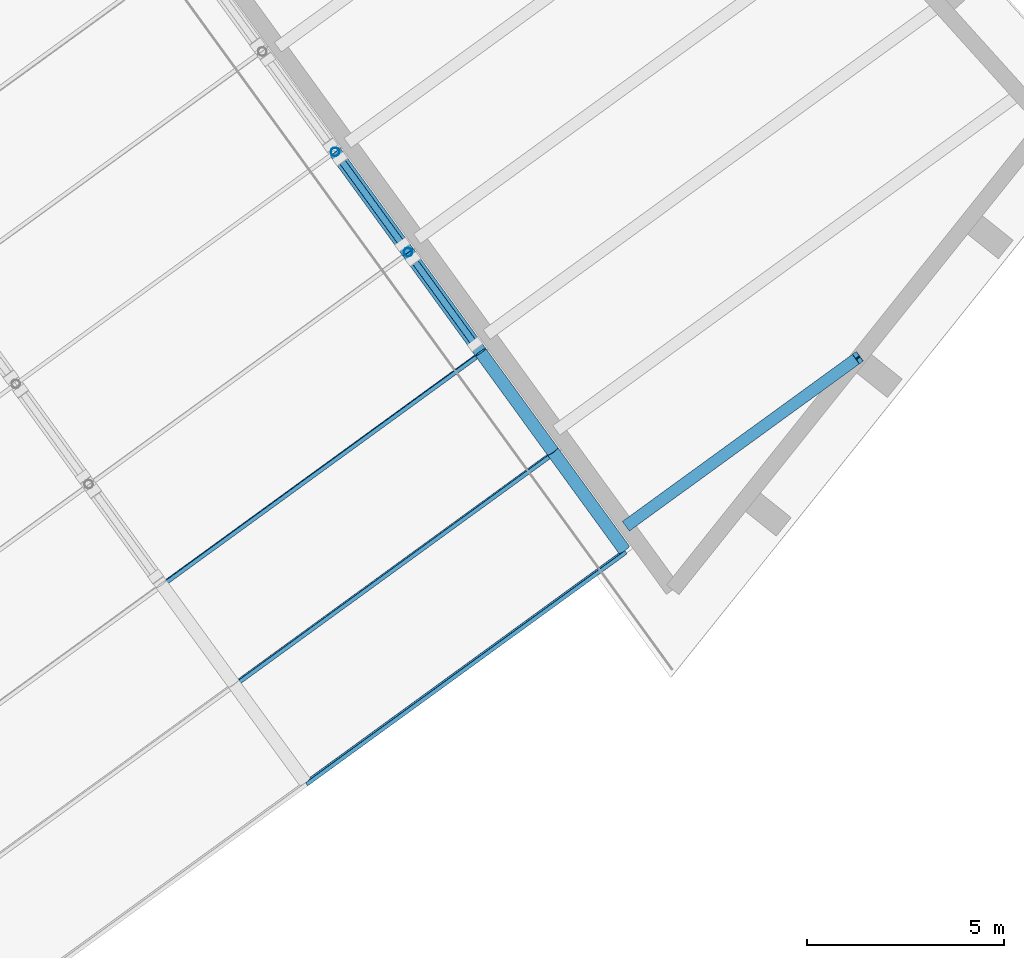
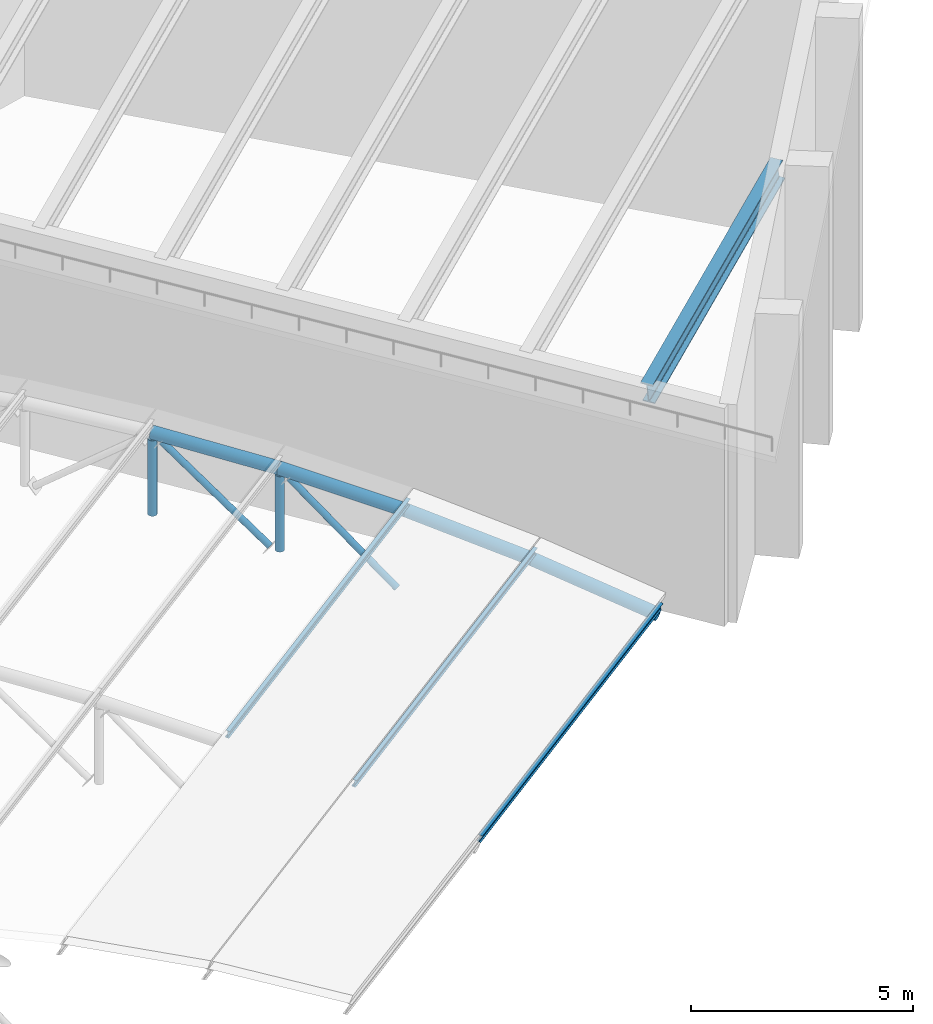
# One storey, part 22 of 41: 8 members, 4 beams.
"""IFC4 building model written with IfcOpenShell, lengths in metres."""

from ifc_helpers import new_model, si_unit, direction, frame, origin, origin_2d, place, context, subcontext, project, spatial, hollow_circle, i_section, extrude, material, material_profile, profile_set, type_object, element, save


model = new_model("IFC4")

# Units and contexts
model_context = context("Model", 3, precision=1e-05, world=origin(), true_north=direction((0.0, 1.0)))
body_context = subcontext(model_context, "Body", "Model", "MODEL_VIEW")
ifc_project = project(units=[si_unit("LENGTHUNIT", "METRE"), si_unit("AREAUNIT", "SQUARE_METRE"), si_unit("VOLUMEUNIT", "CUBIC_METRE"), si_unit("PLANEANGLEUNIT", "RADIAN"), si_unit("MASSUNIT", "GRAM", prefix="KILO")], contexts=[model_context])

# Site, building, storey
site_placement = place(None, origin())
site = spatial("IfcSite", under=ifc_project, at=site_placement, CompositionType="ELEMENT")
building_placement = place(site_placement, origin())
building = spatial("IfcBuilding", under=site, at=building_placement, Name="Okhra Congress Centre", CompositionType="ELEMENT")
storey_placement = place(building_placement, frame((0.0, 0.0, 21.60009765625)))
storey = spatial("IfcBuildingStorey", under=building, at=storey_placement, Name="ROOF", CompositionType="ELEMENT", Elevation=21.60009765625)

# Members
ifc_material_1 = material(Name="Steel S355J2H", Category="steel")
ifc_material_profile_1 = material_profile(ifc_material_1, hollow_circle(Radius=0.084228515625, WallThickness=0.00634765625, at=origin_2d()), Name="CHS 168.3x6.3")
ifc_profile_set_1 = profile_set([ifc_material_profile_1], Name="Steel S355J2H")
member_type_1 = type_object("IfcMemberType", Name="CHS 168.3x6.3", PredefinedType="BRACE", material=ifc_profile_set_1)
member_1_placement = place(storey_placement, frame((266.021728515625, 208.346435546875, -1.07080078125), z_axis=(-0.44685165687, 0.615058439697, 0.649635830685), x_axis=(-0.809026036893, -0.587772806133, 0.0)))
element("IfcMember", 1, at=member_1_placement, inside=storey, type_object=member_type_1, Name="Truss 7 diagonal 8", PredefinedType="BRACE", context=body_context, shape_type="SweptSolid", body=[
    extrude(hollow_circle(Radius=0.084228515625, WallThickness=0.00634765625, at=origin_2d()), origin(), (0.0, 0.0, 1.0), 3.4951171875),
])
member_2_placement = place(storey_placement, frame((264.182861328125, 210.877685546875, -0.812255859375), z_axis=(-0.460505203277, 0.633696450338, 0.621581665258), x_axis=(-0.808957632025, -0.587866948883, 0.0)))
element("IfcMember", 2, at=member_2_placement, inside=storey, type_object=member_type_1, Name="Truss 7 diagonal 9", PredefinedType="BRACE", context=body_context, shape_type="SweptSolid", body=[
    extrude(hollow_circle(Radius=0.084228515625, WallThickness=0.00634765625, at=origin_2d()), origin(), (0.0, 0.0, 1.0), 3.40576171875),
])
ifc_material_profile_2 = material_profile(ifc_material_1, hollow_circle(Radius=0.109619140625, WallThickness=0.008056640625, at=origin_2d()), Name="CHS 219.1x8")
ifc_profile_set_2 = profile_set([ifc_material_profile_2], Name="Steel S355J2H")
member_type_2 = type_object("IfcMemberType", Name="CHS 219.1x8", PredefinedType="POST", material=ifc_profile_set_2)
member_3_placement = place(storey_placement, frame((264.326904296875, 210.67919921875, -0.842529296875), z_axis=(0.0, 0.0, 1.0), x_axis=(1.0, 0.0, 0.0)))
element("IfcMember", 3, at=member_3_placement, inside=storey, type_object=member_type_2, Name="Truss 7 post 8", PredefinedType="POST", context=body_context, shape_type="SweptSolid", body=[
    extrude(hollow_circle(Radius=0.109619140625, WallThickness=0.008056640625, at=origin_2d()), origin(), (0.0, 0.0, 1.0), 2.071533203125),
])
member_4_placement = place(storey_placement, frame((262.481201171875, 213.219482421875, -0.75146484375), z_axis=(0.0, 0.0, 1.0), x_axis=(1.0, 0.0, 0.0)))
element("IfcMember", 4, at=member_4_placement, inside=storey, type_object=member_type_2, Name="Truss 7 post 9", PredefinedType="POST", context=body_context, shape_type="SweptSolid", body=[
    extrude(hollow_circle(Radius=0.109619140625, WallThickness=0.008056640625, at=origin_2d()), origin(), (0.0, 0.0, 1.0), 2.072021484375),
])
ifc_material_profile_3 = material_profile(ifc_material_1, hollow_circle(Radius=0.161865234375, WallThickness=0.012451171875, at=origin_2d()), Name="CHS 323.9x12.5")
ifc_profile_set_3 = profile_set([ifc_material_profile_3], Name="Steel S355J2H")
member_type_3 = type_object("IfcMemberType", Name="CHS 323.9x12.5", PredefinedType="CHORD", material=ifc_profile_set_3)
for number, where, z_axis, x_axis, name in (
    (5, (269.80126953125, 203.14453125, 0.029052734375), (-0.575681616785, 0.792290860201, 0.202153082929), (-0.808993389874, -0.587817739729, 0.0), "Truss 7 top chord 6"),
    (6, (267.992919921875, 205.63330078125, 0.6640625), (-0.581543271945, 0.800496412425, 0.144958326942), (-0.809041704036, -0.587751240858, 0.0), "Truss 7 top chord 7"),
    (7, (266.166259765625, 208.147705078125, 1.119384765625), (-0.585574378555, 0.805922581794, 0.087128866254), (-0.808999165888, -0.587809790317, 0.0), "Truss 7 top chord 8"),
):
    element("IfcMember", number, at=place(storey_placement, frame(where, z_axis=z_axis, x_axis=x_axis)), inside=storey, type_object=member_type_3, Name=name, PredefinedType="CHORD", context=body_context, shape_type="SweptSolid", body=[
        extrude(hollow_circle(Radius=0.161865234375, WallThickness=0.012451171875, at=origin_2d()), origin(), (0.0, 0.0, 1.0), 3.14111328125),
    ])
member_5_placement = place(storey_placement, frame((264.326904296875, 210.67919921875, 1.39306640625), z_axis=(-0.587552098776, 0.808661321133, 0.029144449344), x_axis=(-0.809004978104, -0.587801790915, 0.0)))
element("IfcMember", 8, at=member_5_placement, inside=storey, type_object=member_type_3, Name="Truss 7 top chord 9", PredefinedType="CHORD", context=body_context, shape_type="SweptSolid", body=[
    extrude(hollow_circle(Radius=0.161865234375, WallThickness=0.012451171875, at=origin_2d()), origin(), (0.0, 0.0, 1.0), 3.141357421875),
])

# Beams
ifc_material_2 = material(Name="Steel S355J2", Category="steel")
ifc_material_profile_4 = material_profile(ifc_material_2, i_section(OverallWidth=0.300048828125, OverallDepth=0.60009765625, WebThickness=0.015380859375, FlangeThickness=0.030029296875, FilletRadius=0.027099609375, at=origin_2d()), Name="HE 600 B")
ifc_profile_set_4 = profile_set([ifc_material_profile_4], Name="Steel S355J2")
beam_type_1 = type_object("IfcBeamType", Name="HE 600 B", PredefinedType="BEAM", material=ifc_profile_set_4)
beam_1_placement = place(storey_placement, frame((269.898681640625, 203.77587890625, 5.68701171875), z_axis=(0.79015367861, 0.574061103358, 0.214734752173), x_axis=(-0.587772420479, 0.809026317077, 0.0)))
element("IfcBeam", 9, at=beam_1_placement, inside=storey, type_object=beam_type_1, Name="Stage house rafter 1", PredefinedType="BEAM", context=body_context, shape_type="SweptSolid", body=[
    extrude(i_section(OverallWidth=0.300048828125, OverallDepth=0.60009765625, WebThickness=0.015380859375, FlangeThickness=0.030029296875, FilletRadius=0.027099609375, at=origin_2d()), origin(), (0.0, 0.0, 1.0), 7.371826171875),
])
ifc_material_profile_5 = material_profile(ifc_material_2, i_section(OverallWidth=0.10009765625, OverallDepth=0.199951171875, WebThickness=0.005615234375, FlangeThickness=0.008544921875, FilletRadius=0.011962890625, at=origin_2d()), Name="IPE 200")
ifc_profile_set_5 = profile_set([ifc_material_profile_5], Name="Steel S355J2")
beam_type_2 = type_object("IfcBeamType", Name="IPE 200", PredefinedType="BEAM", material=ifc_profile_set_5)
beam_2_placement = place(storey_placement, frame((261.74609375, 197.218505859375, 0.281005859375), z_axis=(0.809022099746, 0.587778225288, 0.0), x_axis=(-0.571934587156, 0.787214804344, 0.230615870737)))
element("IfcBeam", 10, at=beam_2_placement, inside=storey, type_object=beam_type_2, Name="Purlin 6.36", PredefinedType="BEAM", context=body_context, shape_type="SweptSolid", body=[
    extrude(i_section(OverallWidth=0.10009765625, OverallDepth=0.199951171875, WebThickness=0.005615234375, FlangeThickness=0.008544921875, FilletRadius=0.011962890625, at=origin_2d()), origin(), (0.0, 0.0, 1.0), 9.999755859375),
])
beam_3_placement = place(storey_placement, frame((259.92919921875, 199.718994140625, 0.919189453125), z_axis=(0.809010490052, 0.58779420462, 0.0), x_axis=(-0.578864289886, 0.796719802872, 0.173648177667)))
element("IfcBeam", 11, at=beam_3_placement, inside=storey, type_object=beam_type_2, Name="Purlin 7.42", PredefinedType="BEAM", context=body_context, shape_type="SweptSolid", body=[
    extrude(i_section(OverallWidth=0.10009765625, OverallDepth=0.199951171875, WebThickness=0.005615234375, FlangeThickness=0.008544921875, FilletRadius=0.011962890625, at=origin_2d()), origin(), (0.0, 0.0, 1.0), 10.0),
])
beam_4_placement = place(storey_placement, frame((258.09375, 202.24560546875, 1.376708984375), z_axis=(0.809022099746, 0.587778225288, 0.0), x_axis=(-0.583803879201, 0.803551781728, 0.116092914131)))
element("IfcBeam", 12, at=beam_4_placement, inside=storey, type_object=beam_type_2, Name="Purlin 8.48", PredefinedType="BEAM", context=body_context, shape_type="SweptSolid", body=[
    extrude(i_section(OverallWidth=0.10009765625, OverallDepth=0.199951171875, WebThickness=0.005615234375, FlangeThickness=0.008544921875, FilletRadius=0.011962890625, at=origin_2d()), origin(), (0.0, 0.0, 1.0), 9.999755859375),
])

save(model, "model.ifc")
